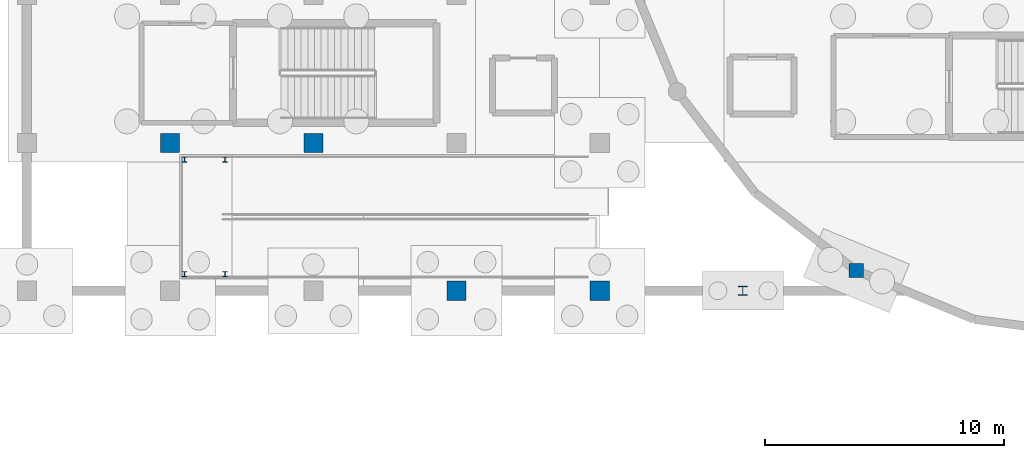
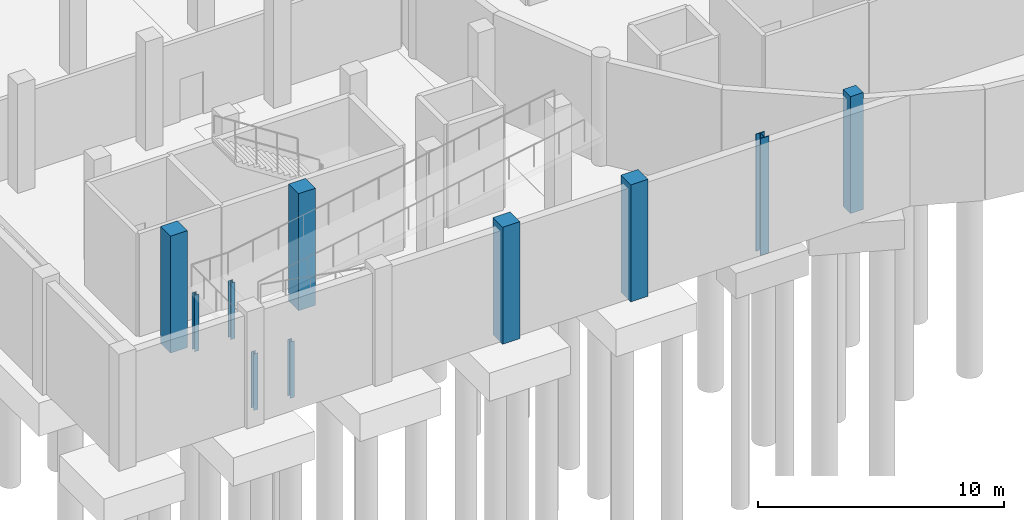
# One storey, part 4 of 19: 10 columns.
"""IFC4 building model written with IfcOpenShell, lengths in metres."""

from ifc_helpers import new_model, si_unit, direction, frame, origin, origin_2d, place, context, subcontext, project, spatial, rectangle, i_section, extrude, material, material_profile, profile_set, type_object, element, save


model = new_model("IFC4")

# Units and contexts
model_context = context("Model", 3, precision=1e-05, world=origin(), true_north=direction((0.0, 1.0)))
body_context = subcontext(model_context, "Body", "Model", "MODEL_VIEW")
ifc_project = project(units=[si_unit("LENGTHUNIT", "METRE"), si_unit("AREAUNIT", "SQUARE_METRE"), si_unit("VOLUMEUNIT", "CUBIC_METRE"), si_unit("PLANEANGLEUNIT", "RADIAN"), si_unit("MASSUNIT", "GRAM", prefix="KILO")], contexts=[model_context])

# Site, building, storey
site_placement = place(None, origin())
site = spatial("IfcSite", under=ifc_project, at=site_placement, CompositionType="ELEMENT")
building_placement = place(site_placement, origin())
building = spatial("IfcBuilding", under=site, at=building_placement, Name="Mirzam Square Science Centre", CompositionType="ELEMENT")
storey_placement = place(building_placement, frame((0.0, 0.0, -5.39990234375)))
storey = spatial("IfcBuildingStorey", under=building, at=storey_placement, Name="B01", CompositionType="ELEMENT", Elevation=-5.39990234375)

# Columns
ifc_material_1 = material(Name="Concrete C45/55", Category="concrete")
ifc_material_profile_1 = material_profile(ifc_material_1, rectangle(XDim=0.800048828125, YDim=0.800048828125, at=origin_2d()), Name="RC800x800")
ifc_profile_set_1 = profile_set([ifc_material_profile_1], Name="Concrete C45/55")
column_type_1 = type_object("IfcColumnType", Name="COL-RC800", PredefinedType="COLUMN", material=ifc_profile_set_1)
for number, where, z_axis, x_axis, name in (
    (1, (42.0, 49.60009765625, -0.400146484375), (0.0, 0.0, 1.0), (1.0, 0.0, 0.0), "B01 column G08-09"),
    (2, (48.0, 49.60009765625, -0.400146484375), (0.0, 0.0, 1.0), (1.0, 0.0, 0.0), "B01 column G09-09"),
    (3, (54.0, 43.39990234375, -0.400146484375), (0.0, 0.0, 1.0), (1.0, 0.0, 0.0), "B01 column G10-08"),
    (4, (60.0, 43.39990234375, -0.400146484375), (0.0, 0.0, 1.0), (1.0, 0.0, 0.0), "B01 column G11-08"),
):
    element("IfcColumn", number, at=place(storey_placement, frame(where, z_axis=z_axis, x_axis=x_axis)), inside=storey, type_object=column_type_1, Name=name, PredefinedType="COLUMN", context=body_context, shape_type="SweptSolid", body=[
        extrude(rectangle(XDim=0.800048828125, YDim=0.800048828125, at=origin_2d()), origin(), (0.0, 0.0, 1.0), 5.800048828125),
    ])
ifc_material_2 = material(Name="Steel S355", Category="steel")
ifc_material_profile_2 = material_profile(ifc_material_2, i_section(OverallWidth=0.205810546875, OverallDepth=0.209716796875, WebThickness=0.009521484375, FlangeThickness=0.01416015625, FilletRadius=0.01025390625, at=origin_2d()), Name="203x203x60UC")
ifc_profile_set_2 = profile_set([ifc_material_profile_2], Name="Steel S355")
column_type_2 = type_object("IfcColumnType", Name="COL-UC203A", PredefinedType="COLUMN", material=ifc_profile_set_2)
for number, where, z_axis, x_axis, name in (
    (5, (42.60009765625, 44.10009765625, -0.400146484375), (0.0, 0.0, 1.0), (1.0, 0.0, 0.0), "B01 vehicle ramp landing post 1"),
    (6, (44.300048828125, 44.10009765625, -0.400146484375), (0.0, 0.0, 1.0), (1.0, 0.0, 0.0), "B01 vehicle ramp landing post 2"),
    (7, (42.60009765625, 48.89990234375, -0.400146484375), (0.0, 0.0, 1.0), (1.0, 0.0, 0.0), "B01 vehicle ramp landing post 3"),
    (8, (44.300048828125, 48.89990234375, -0.400146484375), (0.0, 0.0, 1.0), (1.0, 0.0, 0.0), "B01 vehicle ramp landing post 4"),
):
    element("IfcColumn", number, at=place(storey_placement, frame(where, z_axis=z_axis, x_axis=x_axis)), inside=storey, type_object=column_type_2, Name=name, PredefinedType="COLUMN", context=body_context, shape_type="SweptSolid", body=[
        extrude(i_section(OverallWidth=0.205810546875, OverallDepth=0.209716796875, WebThickness=0.009521484375, FlangeThickness=0.01416015625, FilletRadius=0.01025390625, at=origin_2d()), origin(), (0.0, 0.0, 1.0), 2.800048828125),
    ])
ifc_material_profile_3 = material_profile(ifc_material_2, i_section(OverallWidth=0.39892578125, OverallDepth=0.3935546875, WebThickness=0.022705078125, FlangeThickness=0.03662109375, FilletRadius=0.01513671875, at=origin_2d()), Name="356x406x287UC")
ifc_profile_set_3 = profile_set([ifc_material_profile_3], Name="Steel S355")
column_type_3 = type_object("IfcColumnType", Name="COL-UC356B", PredefinedType="COLUMN", material=ifc_profile_set_3)
column_1_placement = place(storey_placement, frame((66.0, 43.39990234375, -0.400146484375), z_axis=(0.0, 0.0, 1.0), x_axis=(1.0, 0.0, 0.0)))
element("IfcColumn", 9, at=column_1_placement, inside=storey, type_object=column_type_3, Name="B01 column G12-08", PredefinedType="COLUMN", context=body_context, shape_type="SweptSolid", body=[
    extrude(i_section(OverallWidth=0.39892578125, OverallDepth=0.3935546875, WebThickness=0.022705078125, FlangeThickness=0.03662109375, FilletRadius=0.01513671875, at=origin_2d()), origin(), (0.0, 0.0, 1.0), 5.800048828125),
])
ifc_material_profile_4 = material_profile(ifc_material_1, rectangle(XDim=0.60009765625, YDim=0.60009765625, at=origin_2d()), Name="RC600x600")
ifc_profile_set_4 = profile_set([ifc_material_profile_4], Name="Concrete C45/55")
column_type_4 = type_object("IfcColumnType", Name="PIL-RC600", PredefinedType="PILASTER", material=ifc_profile_set_4)
column_2_placement = place(storey_placement, frame((70.75, 44.24658203125, -0.400146484375), z_axis=(0.0, 0.0, 1.0), x_axis=(1.0, 0.0, 0.0)))
element("IfcColumn", 10, at=column_2_placement, inside=storey, type_object=column_type_4, Name="B01 drum pilaster 17", PredefinedType="PILASTER", context=body_context, shape_type="SweptSolid", body=[
    extrude(rectangle(XDim=0.60009765625, YDim=0.60009765625, at=origin_2d()), origin(), (0.0, 0.0, 1.0), 5.800048828125),
])

save(model, "model.ifc")
